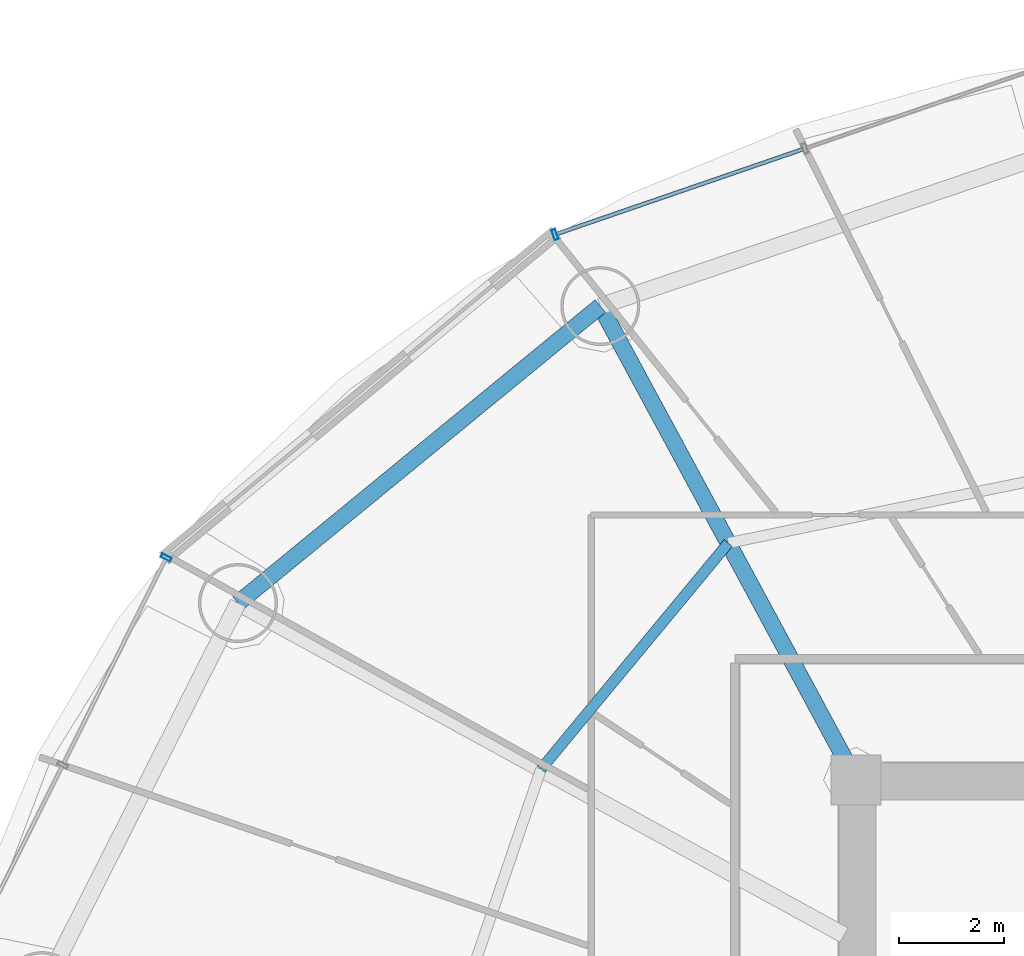
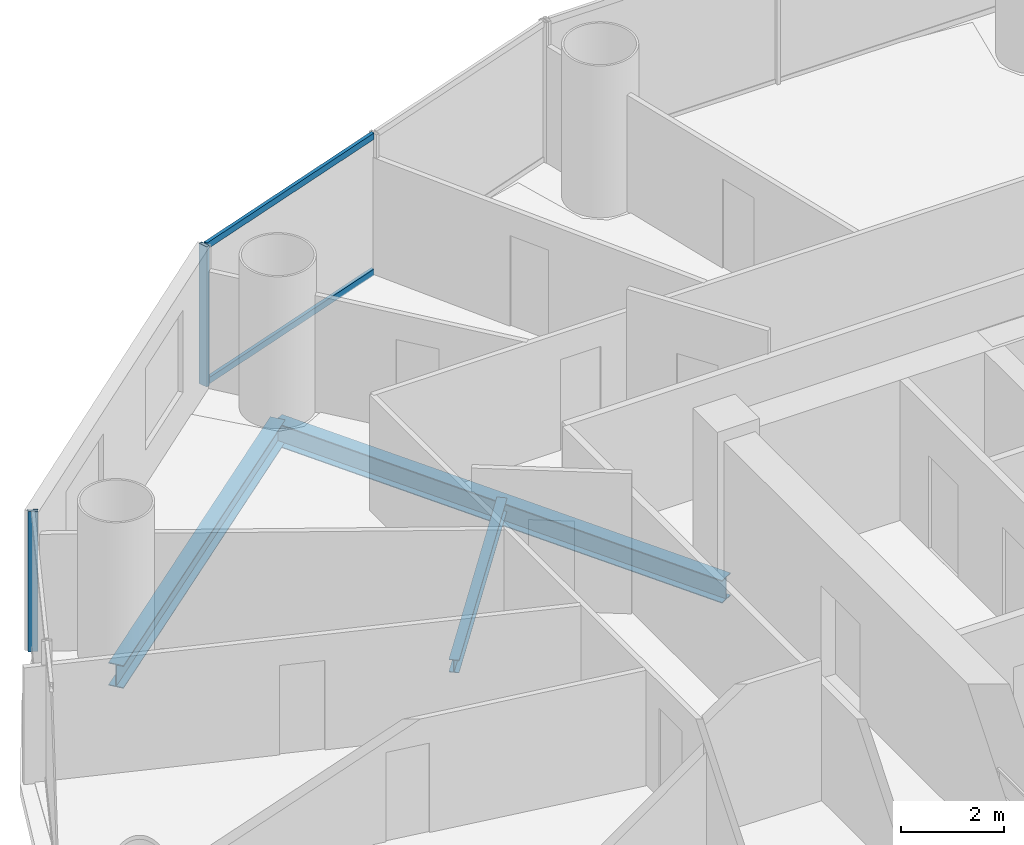
# One storey, part 16 of 29: 4 members, 3 beams, 2 elements without a shape of their own.
"""IFC4 building model written with IfcOpenShell, lengths in metres."""

from ifc_helpers import new_model, si_unit, direction, frame, origin, origin_2d, place, context, subcontext, project, spatial, hollow_rectangle, i_section, extrude, source, transform, mapped, material, material_profile, profile_set, type_object, element, aggregate, save


model = new_model("IFC4")

# Units and contexts
model_context = context("Model", 3, precision=1e-05, world=origin(), true_north=direction((-0.2419218956, 0.970295726276)))
body_context = subcontext(model_context, "Body", "Model", "MODEL_VIEW")
ifc_project = project(units=[si_unit("LENGTHUNIT", "METRE"), si_unit("AREAUNIT", "SQUARE_METRE"), si_unit("VOLUMEUNIT", "CUBIC_METRE"), si_unit("PLANEANGLEUNIT", "RADIAN"), si_unit("MASSUNIT", "GRAM", prefix="KILO")], contexts=[model_context])

# Site, building, storey
site_placement = place(None, origin())
site = spatial("IfcSite", under=ifc_project, at=site_placement, CompositionType="ELEMENT")
building_placement = place(site_placement, origin())
building = spatial("IfcBuilding", under=site, at=building_placement, Name="Cobrevalo Terracotta Tower", CompositionType="ELEMENT")
storey_placement = place(building_placement, frame((0.0, 0.0, 115.800048828125)))
storey = spatial("IfcBuildingStorey", under=building, at=storey_placement, Name="L30", CompositionType="ELEMENT", Elevation=115.800048828125)

# Beams
ifc_material_1 = material(Name="Steel S355", Category="steel")
ifc_material_profile_1 = material_profile(ifc_material_1, i_section(OverallWidth=0.31201171875, OverallDepth=0.54296875, WebThickness=0.0126953125, FlangeThickness=0.020263671875, at=origin_2d()), Name="W 530x150")
ifc_profile_set_1 = profile_set([ifc_material_profile_1], Name="Steel S355")
beam_type_1 = type_object("IfcBeamType", Name="Structural Beam W 530x150 (Steel S355)", PredefinedType="BEAM", material=ifc_profile_set_1)
beam_1_placement = place(storey_placement, frame((24.138427734375, 43.803466796875, -0.546630859375), z_axis=(0.475128224431, -0.879916570107, 0.0), x_axis=(0.879916570107, 0.475128224431, 0.0)))
element("IfcBeam", 1, at=beam_1_placement, inside=storey, type_object=beam_type_1, Name="L30 radial floor girder 06", PredefinedType="BEAM", context=body_context, shape_type="SweptSolid", body=[
    extrude(i_section(OverallWidth=0.31201171875, OverallDepth=0.54296875, WebThickness=0.0126953125, FlangeThickness=0.020263671875, at=origin_2d()), origin(), (0.0, 0.0, 1.0), 10.232177734375),
])
ifc_material_profile_2 = material_profile(ifc_material_1, i_section(OverallWidth=0.2041015625, OverallDepth=0.305908203125, WebThickness=0.008544921875, FlangeThickness=0.0146484375, at=origin_2d()), Name="W 310x67")
ifc_profile_set_2 = profile_set([ifc_material_profile_2], Name="Steel S355")
beam_type_2 = type_object("IfcBeamType", Name="Structural Joist W 310x67 (Steel S355)", PredefinedType="JOIST", material=ifc_profile_set_2)
beam_2_placement = place(storey_placement, frame((26.5693359375, 39.3017578125, -0.427978515625), z_axis=(-0.6379592588, -0.77007011636, 0.0), x_axis=(0.77007011636, -0.6379592588, 0.0)))
element("IfcBeam", 2, at=beam_2_placement, inside=storey, type_object=beam_type_2, Name="L30 circumferential secondary floor joist 06", PredefinedType="JOIST", context=body_context, shape_type="SweptSolid", body=[
    extrude(i_section(OverallWidth=0.2041015625, OverallDepth=0.305908203125, WebThickness=0.008544921875, FlangeThickness=0.0146484375, at=origin_2d()), origin(), (0.0, 0.0, 1.0), 5.575439453125),
])
ifc_material_profile_3 = material_profile(ifc_material_1, i_section(OverallWidth=0.31201171875, OverallDepth=0.54296875, WebThickness=0.0126953125, FlangeThickness=0.020263671875, at=origin_2d()), Name="W 530x150")
ifc_profile_set_3 = profile_set([ifc_material_profile_3], Name="Steel S355")
beam_type_3 = type_object("IfcBeamType", Name="Structural Spandrel W 530x150 (Steel S355)", PredefinedType="SPANDREL", material=ifc_profile_set_3)
beam_3_placement = place(storey_placement, frame((24.138427734375, 43.803466796875, -0.546630859375), z_axis=(-0.773400923541, -0.633917196064, 0.0), x_axis=(0.633917196064, -0.773400923541, 0.0)))
element("IfcBeam", 3, at=beam_3_placement, inside=storey, type_object=beam_type_3, Name="L30 perimeter ring spandrel 06", PredefinedType="SPANDREL", context=body_context, shape_type="SweptSolid", body=[
    extrude(i_section(OverallWidth=0.31201171875, OverallDepth=0.54296875, WebThickness=0.0126953125, FlangeThickness=0.020263671875, at=origin_2d()), origin(), (0.0, 0.0, 1.0), 8.900390625),
])

# Curtain wall, member
ifc_material_2 = material(Name="Anodized aluminium", Category="aluminium")
curtain_wall_type = type_object("IfcCurtainWallType", Name="Lower-tower unitised acoustic low-E curtain wall CW-U1", PredefinedType="NOTDEFINED", material=ifc_material_2)
curtain_wall_1_placement = place(storey_placement, origin())
curtain_wall_1 = element("IfcCurtainWall", 4, at=curtain_wall_1_placement, inside=storey, type_object=curtain_wall_type, Name="L30 curtain wall CW-L30-S05", PredefinedType="NOTDEFINED")
ifc_material_profile_4 = material_profile(ifc_material_2, hollow_rectangle(XDim=0.074951171875, YDim=0.199951171875, WallThickness=0.0048828125, at=origin_2d()), Name="CWM 75x200")
ifc_profile_set_4 = profile_set([ifc_material_profile_4], Name="Anodized aluminium")
member_type_1 = type_object("IfcMemberType", Name="Lower/mid tower unitised mullion 75x200", PredefinedType="MULLION", material=ifc_profile_set_4)
shared_shape_1 = source(origin(), body_context, "Body", "SweptSolid", [
    extrude(hollow_rectangle(XDim=0.074951171875, YDim=0.199951171875, WallThickness=0.0048828125, at=origin_2d()), origin(), (0.0, 0.0, 1.0), 3.324951171875),
])
member_1_placement = place(storey_placement, frame((23.2763671875, 45.16357421875, 0.0), z_axis=(0.0, 0.0, 1.0), x_axis=(-0.94559809868, -0.325337110968, 0.0)))
member_1 = element("IfcMember", 5, at=member_1_placement, type_object=member_type_1, Name="CW-L30-S05 vertical mullion 03", PredefinedType="MULLION", context=body_context, shape_type="MappedRepresentation", body=[
    mapped(shared_shape_1, transform((0.0, 0.0, 0.0), scale=1.0)),
])

curtain_wall_2_placement = place(storey_placement, origin())
curtain_wall_2 = element("IfcCurtainWall", 6, at=curtain_wall_2_placement, inside=storey, type_object=curtain_wall_type, Name="L30 curtain wall CW-L30-S07", PredefinedType="NOTDEFINED")
member_2_placement = place(storey_placement, frame((15.889892578125, 39.025634765625, 0.0), z_axis=(0.0, 0.0, 1.0), x_axis=(-0.446260290227, -0.894903208937, 0.0)))
member_2 = element("IfcMember", 7, at=member_2_placement, type_object=member_type_1, Name="CW-L30-S07 vertical mullion 01", PredefinedType="MULLION", context=body_context, shape_type="MappedRepresentation", body=[
    mapped(shared_shape_1, transform((0.0, 0.0, 0.0), scale=1.0)),
])
aggregate(curtain_wall_2, [member_2])

# Member
ifc_material_profile_5 = material_profile(ifc_material_2, hollow_rectangle(XDim=0.074951171875, YDim=0.14990234375, WallThickness=0.00439453125, at=origin_2d()), Name="CWT 75x150")
ifc_profile_set_5 = profile_set([ifc_material_profile_5], Name="Anodized aluminium")
member_type_2 = type_object("IfcMemberType", Name="Tower unitised aluminium transom 75x150", PredefinedType="USERDEFINED", material=ifc_profile_set_5)
shared_shape_2 = source(origin(), body_context, "Body", "SweptSolid", [
    extrude(hollow_rectangle(XDim=0.074951171875, YDim=0.14990234375, WallThickness=0.00439453125, at=origin_2d()), origin(), (0.0, 0.0, 1.0), 4.944580078125),
])
member_3_placement = place(storey_placement, frame((27.98974609375, 46.78515625, 0.050048828125), z_axis=(-0.945597859971, -0.32533780478, 0.0), x_axis=(0.32533780478, -0.945597859971, 0.0)))
member_3 = element("IfcMember", 8, at=member_3_placement, type_object=member_type_2, Name="CW-L30-S05 transom B02-T1", ObjectType="TRANSOM", PredefinedType="USERDEFINED", context=body_context, shape_type="MappedRepresentation", body=[
    mapped(shared_shape_2, transform((0.0, 0.0, 0.0), scale=1.0)),
])

member_4_placement = place(storey_placement, frame((27.98974609375, 46.78515625, 3.27490234375), z_axis=(-0.945597859971, -0.32533780478, 0.0), x_axis=(0.32533780478, -0.945597859971, 0.0)))
member_4 = element("IfcMember", 9, at=member_4_placement, type_object=member_type_2, Name="CW-L30-S05 transom B02-T2", ObjectType="TRANSOM", PredefinedType="USERDEFINED", context=body_context, shape_type="MappedRepresentation", body=[
    mapped(shared_shape_2, transform((0.0, 0.0, 0.0), scale=1.0)),
])

aggregate(curtain_wall_1, [member_1, member_3, member_4])

save(model, "model.ifc")
